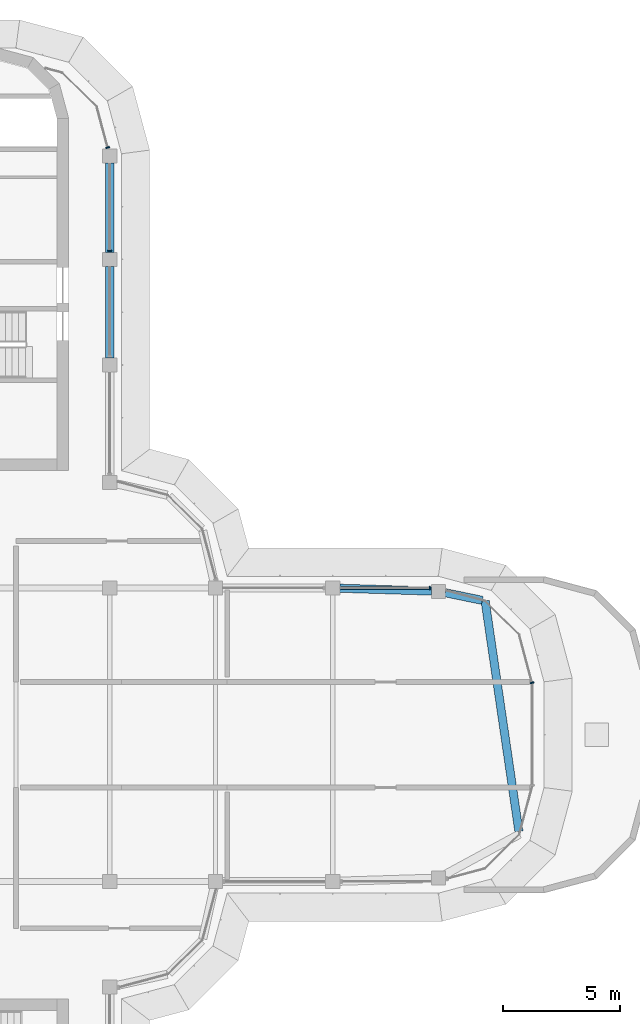
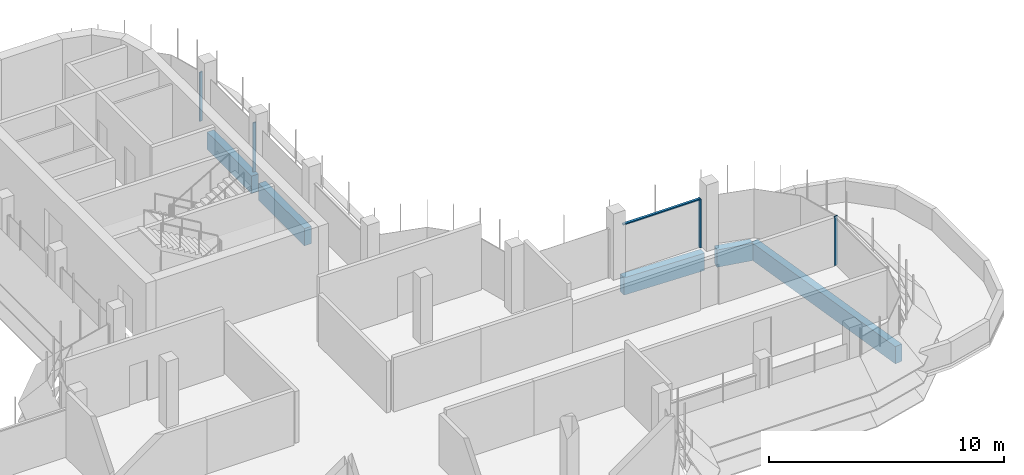
# One storey, part 8 of 20: 5 beams, 5 members, 4 elements without a shape of their own.
"""IFC4 building model written with IfcOpenShell, lengths in metres."""

from ifc_helpers import new_model, si_unit, direction, frame, origin, origin_2d, place, context, subcontext, project, spatial, polyline, rectangle, outline, extrude, source, transform, mapped, material, material_profile, profile_set, type_object, element, aggregate, save


model = new_model("IFC4")

# Units and contexts
model_context = context("Model", 3, precision=1e-05, world=origin(), true_north=direction((0.0, 1.0)))
body_context = subcontext(model_context, "Body", "Model", "MODEL_VIEW")
ifc_project = project(units=[si_unit("LENGTHUNIT", "METRE"), si_unit("AREAUNIT", "SQUARE_METRE"), si_unit("VOLUMEUNIT", "CUBIC_METRE"), si_unit("PLANEANGLEUNIT", "RADIAN"), si_unit("MASSUNIT", "GRAM", prefix="KILO")], contexts=[model_context])

# Site, building, storey
site_placement = place(None, origin())
site = spatial("IfcSite", under=ifc_project, at=site_placement, CompositionType="ELEMENT")
building_placement = place(site_placement, origin())
building = spatial("IfcBuilding", under=site, at=building_placement, Name="Zarbagh Exchange Tower", CompositionType="ELEMENT")
storey_placement = place(building_placement, frame((0.0, 0.0, 291.60009765625)))
storey = spatial("IfcBuildingStorey", under=building, at=storey_placement, Name="L71", CompositionType="ELEMENT", Elevation=291.60009765625)

# Beams
ifc_material_1 = material(Name="Concrete C40/50", Category="concrete")
ifc_material_profile = material_profile(ifc_material_1, rectangle(XDim=0.35009765625, YDim=0.89990234375, at=origin_2d()), Name="RC spandrel beam 350 x 900 C40/50")
ifc_profile_set = profile_set([ifc_material_profile], Name="Concrete C40/50")
beam_type = type_object("IfcBeamType", Name="RC spandrel beam 350 x 900 C40/50", PredefinedType="SPANDREL", material=ifc_profile_set)
beam_1_placement = place(storey_placement, frame((6.25, 24.35009765625, -0.60009765625), z_axis=(0.0, -1.0, 0.0), x_axis=(1.0, 0.0, 0.0)))
element("IfcBeam", 1, at=beam_1_placement, inside=storey, type_object=beam_type, Name="RC spandrel beam", PredefinedType="SPANDREL", context=body_context, shape_type="SweptSolid", body=[
    extrude(rectangle(XDim=0.35009765625, YDim=0.89990234375, at=origin_2d()), origin(), (0.0, 0.0, 1.0), 3.800048828125),
])
beam_2_placement = place(storey_placement, frame((6.25, 19.949951171875, -0.60009765625), z_axis=(0.0, -1.0, 0.0), x_axis=(1.0, 0.0, 0.0)))
element("IfcBeam", 2, at=beam_2_placement, inside=storey, type_object=beam_type, Name="RC spandrel beam", PredefinedType="SPANDREL", context=body_context, shape_type="SweptSolid", body=[
    extrude(rectangle(XDim=0.35009765625, YDim=0.89990234375, at=origin_2d()), origin(), (0.0, 0.0, 1.0), 3.89990234375),
])
beam_3_placement = place(storey_placement, frame((16.0498046875, 6.24072265625, -0.60009765625), z_axis=(0.999516460907, -0.031094121249, 0.0), x_axis=(0.031094121249, 0.999516460907, 0.0)))
element("IfcBeam", 3, at=beam_3_placement, inside=storey, type_object=beam_type, Name="RC spandrel beam", PredefinedType="SPANDREL", context=body_context, shape_type="SweptSolid", body=[
    extrude(rectangle(XDim=0.35009765625, YDim=0.89990234375, at=origin_2d()), origin(), (0.0, 0.0, 1.0), 3.90234375),
])
beam_4_placement = place(storey_placement, frame((20.543701171875, 6.04931640625, -0.60009765625), z_axis=(0.979343298962, -0.202204606224, 0.0), x_axis=(0.202204606224, 0.979343298962, 0.0)))
element("IfcBeam", 4, at=beam_4_placement, inside=storey, type_object=beam_type, Name="RC spandrel beam", PredefinedType="SPANDREL", context=body_context, shape_type="SweptSolid", body=[
    extrude(rectangle(XDim=0.35009765625, YDim=0.89990234375, at=origin_2d()), origin(), (0.0, 0.0, 1.0), 1.610595703125),
])
beam_5_placement = place(storey_placement, frame((22.2412109375, 5.69873046875, -0.60009765625), z_axis=(0.145098774103, -0.989417174782, 0.0), x_axis=(0.989417174782, 0.145098774103, 0.0)))
element("IfcBeam", 5, at=beam_5_placement, inside=storey, type_object=beam_type, Name="RC spandrel beam", PredefinedType="SPANDREL", context=body_context, shape_type="SweptSolid", body=[
    extrude(rectangle(XDim=0.35009765625, YDim=0.89990234375, at=origin_2d()), origin(), (0.0, 0.0, 1.0), 9.923828125),
])

# Curtain wall, member
ifc_material_2 = material(Name="Anodised aluminium frame and glazing", Category="aluminium")
curtain_wall_type = type_object("IfcCurtainWallType", Name="CWF Crown tier glazing", PredefinedType="NOTDEFINED", material=ifc_material_2)
curtain_wall_1_placement = place(storey_placement, origin())
curtain_wall_1 = element("IfcCurtainWall", 6, at=curtain_wall_1_placement, inside=storey, type_object=curtain_wall_type, Name="CWF16 curtain wall", PredefinedType="NOTDEFINED")
ifc_material_3 = material(Name="Anodised aluminium frame", Category="aluminium")
member_type_1 = type_object("IfcMemberType", Name="TRF Transom, anodised aluminium frame", PredefinedType="USERDEFINED", material=ifc_material_3)
shared_shape_1 = source(origin(), body_context, "Body", "SweptSolid", [
    extrude(outline(polyline([(-0.06005859375, -0.06005859375), (0.0, -0.06005859375), (0.0, 0.06005859375), (-0.06005859375, 0.06005859375), (-0.06005859375, -0.06005859375)])), origin(), (0.0, 0.0, 1.0), 3.760009765625),
])
placement = place(storey_placement, origin())
member_1 = element("IfcMember", 7, at=placement, type_object=member_type_1, Name="CWF16 transom 1.1", ObjectType="TRANSOM", PredefinedType="USERDEFINED", context=body_context, shape_type="MappedRepresentation", body=[
    mapped(shared_shape_1, transform((19.849853515625, 6.25, 2.5498046875), x_axis=(0.0, 0.0, 1.0), y_axis=(0.0, 1.0, 0.0), z_axis=(-1.0, 0.0, 0.0))),
])

curtain_wall_2_placement = place(storey_placement, origin())
curtain_wall_2 = element("IfcCurtainWall", 8, at=curtain_wall_2_placement, inside=storey, type_object=curtain_wall_type, Name="CWF13 curtain wall", PredefinedType="NOTDEFINED")
member_type_2 = type_object("IfcMemberType", Name="MUF Mullion, anodised aluminium frame", PredefinedType="MULLION", material=ifc_material_3)
shared_shape_2 = source(origin(), body_context, "Body", "SweptSolid", [
    extrude(outline(polyline([(0.0, -0.080078125), (0.06005859375, -0.080078125), (0.06005859375, 0.080078125), (0.0, 0.080078125), (0.0, -0.080078125)])), origin(), (0.0, 0.0, 1.0), 2.550048828125),
])
member_2 = element("IfcMember", 9, at=placement, type_object=member_type_2, Name="CWF13 mullion 1.1", PredefinedType="MULLION", context=body_context, shape_type="MappedRepresentation", body=[
    mapped(shared_shape_2, transform((24.25, 2.18408203125, 0.0), x_axis=(-0.258824779902, 0.965924289636, 0.0), y_axis=(-0.965924289636, -0.258824779902, 0.0), z_axis=(0.0, 0.0, 1.0))),
])
aggregate(curtain_wall_2, [member_2])

# Member
member_3 = element("IfcMember", 10, at=placement, type_object=member_type_2, Name="CWF16 mullion 1.1", PredefinedType="MULLION", context=body_context, shape_type="MappedRepresentation", body=[
    mapped(shared_shape_2, transform((19.909912109375, 6.25, 0.0), x_axis=(-1.0, 0.0, 0.0), y_axis=(0.0, -1.0, 0.0), z_axis=(0.0, 0.0, 1.0))),
])

aggregate(curtain_wall_1, [member_3, member_1])

# Curtain wall, member
curtain_wall_3_placement = place(storey_placement, origin())
curtain_wall_3 = element("IfcCurtainWall", 11, at=curtain_wall_3_placement, inside=storey, type_object=curtain_wall_type, Name="CWF20 curtain wall", PredefinedType="NOTDEFINED")
member_4 = element("IfcMember", 12, at=placement, type_object=member_type_2, Name="CWF20 mullion 3.1", PredefinedType="MULLION", context=body_context, shape_type="MappedRepresentation", body=[
    mapped(shared_shape_2, transform((6.25, 20.590087890625, 0.0), x_axis=(0.0, 1.0, 0.0), y_axis=(-1.0, 0.0, 0.0), z_axis=(0.0, 0.0, 1.0))),
])
aggregate(curtain_wall_3, [member_4])

curtain_wall_4_placement = place(storey_placement, origin())
curtain_wall_4 = element("IfcCurtainWall", 13, at=curtain_wall_4_placement, inside=storey, type_object=curtain_wall_type, Name="CWF21 curtain wall", PredefinedType="NOTDEFINED")
member_5 = element("IfcMember", 14, at=placement, type_object=member_type_2, Name="CWF21 mullion 1.1", PredefinedType="MULLION", context=body_context, shape_type="MappedRepresentation", body=[
    mapped(shared_shape_2, transform((6.16796875, 24.989990234375, 0.0), x_axis=(-0.258824779902, 0.965924289636, 0.0), y_axis=(-0.965924289636, -0.258824779902, 0.0), z_axis=(0.0, 0.0, 1.0))),
])
aggregate(curtain_wall_4, [member_5])

save(model, "model.ifc")
